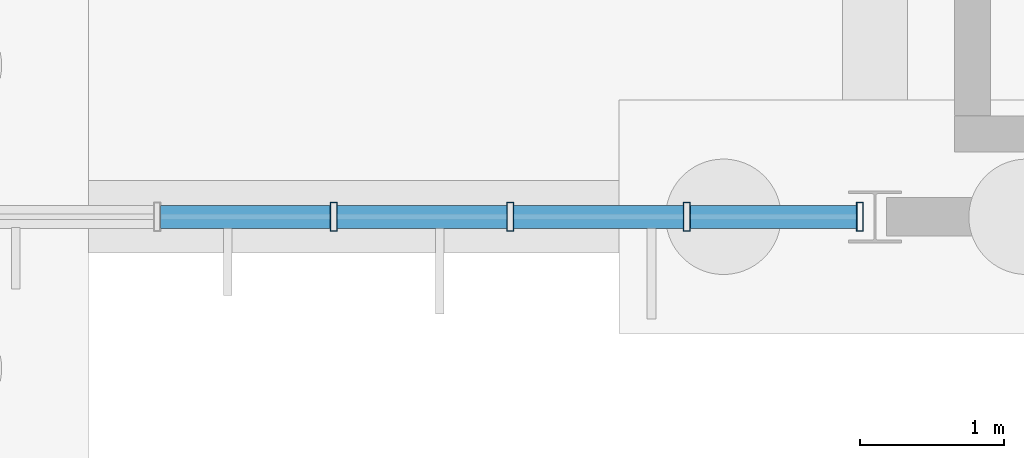
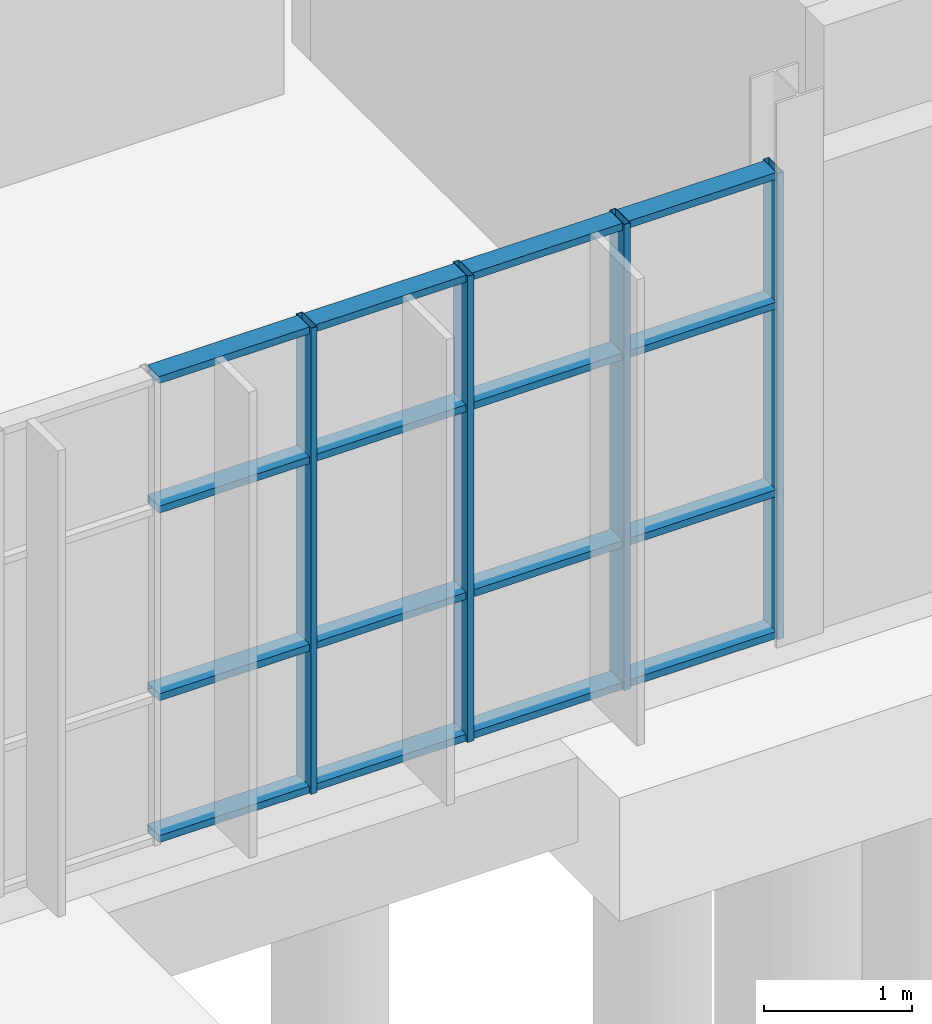
# One storey, part 32 of 136: 20 members, 1 element without a shape of its own.
"""IFC4 building model written with IfcOpenShell, lengths in metres."""

from ifc_helpers import new_model, si_unit, direction, frame, origin, origin_2d, place, context, subcontext, project, spatial, hollow_rectangle, extrude, material, layer, layer_set, material_profile, profile_set, type_object, element, aggregate, save


model = new_model("IFC4")

# Units and contexts
model_context = context("Model", 3, precision=1e-05, world=origin(), true_north=direction((0.0, 1.0)))
body_context = subcontext(model_context, "Body", "Model", "MODEL_VIEW")
ifc_project = project(units=[si_unit("LENGTHUNIT", "METRE"), si_unit("AREAUNIT", "SQUARE_METRE"), si_unit("VOLUMEUNIT", "CUBIC_METRE"), si_unit("PLANEANGLEUNIT", "RADIAN"), si_unit("MASSUNIT", "GRAM", prefix="KILO")], contexts=[model_context])

# Site, building, storey
site_placement = place(None, origin())
site = spatial("IfcSite", under=ifc_project, at=site_placement, CompositionType="ELEMENT")
building_placement = place(site_placement, origin())
building = spatial("IfcBuilding", under=site, at=building_placement, Name="Solvenia Promenade Tram Depot", CompositionType="ELEMENT")
storey_placement = place(building_placement, origin())
storey = spatial("IfcBuildingStorey", under=building, at=storey_placement, Name="L00", CompositionType="ELEMENT", Elevation=0.0)

# Curtain wall, members
ifc_material = material(Name="Anodized aluminium AW-6063 T6", Category="aluminium")
ifc_layer = layer(ifc_material, 0.179931640625, Name="Anodized aluminium AW-6063 T6", Category="aluminium")
ifc_layer_set = layer_set([ifc_layer], Name="Anodized aluminium AW-6063 T6")
curtain_wall_type = type_object("IfcCurtainWallType", Name="CW-Solar-1250", PredefinedType="NOTDEFINED", material=ifc_layer_set)
curtain_wall_placement = place(storey_placement, origin())
curtain_wall = element("IfcCurtainWall", 1, at=curtain_wall_placement, inside=storey, type_object=curtain_wall_type, Name="Curtain Wall CW-V4S-L00-07", PredefinedType="NOTDEFINED")
ifc_material_profile_1 = material_profile(ifc_material, hollow_rectangle(XDim=0.199951171875, YDim=0.048095703125, WallThickness=0.00390625, at=origin_2d()), Name="ALU-M3", Category="aluminium")
ifc_profile_set_1 = profile_set([ifc_material_profile_1], Name="Anodized aluminium AW-6063 T6")
member_type_1 = type_object("IfcMemberType", Name="CWM-Mullion-3", PredefinedType="MULLION", material=ifc_profile_set_1)
member_1_placement = place(storey_placement, frame((56.25, 0.0, 0.0), z_axis=(0.0, 0.0, 1.0), x_axis=(0.0, 1.0, 0.0)))
member_1 = element("IfcMember", 2, at=member_1_placement, type_object=member_type_1, Name="CW-6 mullion 4", PredefinedType="MULLION", context=body_context, shape_type="SweptSolid", body=[
    extrude(hollow_rectangle(XDim=0.199951171875, YDim=0.048095703125, WallThickness=0.00390625, at=origin_2d()), origin(), (0.0, 0.0, 1.0), 3.85009765625),
])
member_2_placement = place(storey_placement, frame((57.473388671875, 0.0, 0.0), z_axis=(0.0, 0.0, 1.0), x_axis=(0.0, 1.0, 0.0)))
member_2 = element("IfcMember", 3, at=member_2_placement, type_object=member_type_1, Name="CW-6 mullion 5", PredefinedType="MULLION", context=body_context, shape_type="SweptSolid", body=[
    extrude(hollow_rectangle(XDim=0.199951171875, YDim=0.048095703125, WallThickness=0.00390625, at=origin_2d()), origin(), (0.0, 0.0, 1.0), 3.85009765625),
])
member_3_placement = place(storey_placement, frame((58.69677734375, 0.0, 0.0), z_axis=(0.0, 0.0, 1.0), x_axis=(0.0, 1.0, 0.0)))
member_3 = element("IfcMember", 4, at=member_3_placement, type_object=member_type_1, Name="CW-6 mullion 6", PredefinedType="MULLION", context=body_context, shape_type="SweptSolid", body=[
    extrude(hollow_rectangle(XDim=0.199951171875, YDim=0.048095703125, WallThickness=0.00390625, at=origin_2d()), origin(), (0.0, 0.0, 1.0), 3.85009765625),
])
member_4_placement = place(storey_placement, frame((59.89599609375, 0.0, 0.0), z_axis=(0.0, 0.0, 1.0), x_axis=(0.0, 1.0, 0.0)))
member_4 = element("IfcMember", 5, at=member_4_placement, type_object=member_type_1, Name="CW-6 mullion 7", PredefinedType="MULLION", context=body_context, shape_type="SweptSolid", body=[
    extrude(hollow_rectangle(XDim=0.199951171875, YDim=0.048095703125, WallThickness=0.00390625, at=origin_2d()), origin(), (0.0, 0.0, 1.0), 3.85009765625),
])
ifc_material_profile_2 = material_profile(ifc_material, hollow_rectangle(XDim=0.159912109375, YDim=0.05810546875, WallThickness=0.00390625, at=origin_2d()), Name="ALU-T3", Category="aluminium")
ifc_profile_set_2 = profile_set([ifc_material_profile_2], Name="Anodized aluminium AW-6063 T6")
member_type_2 = type_object("IfcMemberType", Name="CWT-Transom-3", PredefinedType="USERDEFINED", material=ifc_profile_set_2)
member_5_placement = place(storey_placement, frame((55.05078125, 0.0, 0.029052734375), z_axis=(1.0, 0.0, 0.0), x_axis=(0.0, 1.0, 0.0)))
member_5 = element("IfcMember", 6, at=member_5_placement, type_object=member_type_2, Name="CW-6 transom 3.1", ObjectType="TRANSOM", PredefinedType="USERDEFINED", context=body_context, shape_type="SweptSolid", body=[
    extrude(hollow_rectangle(XDim=0.159912109375, YDim=0.05810546875, WallThickness=0.00390625, at=origin_2d()), origin(), (0.0, 0.0, 1.0), 1.17529296875),
])
member_6_placement = place(storey_placement, frame((55.05078125, 0.0, 1.199951171875), z_axis=(1.0, 0.0, 0.0), x_axis=(0.0, 1.0, 0.0)))
member_6 = element("IfcMember", 7, at=member_6_placement, type_object=member_type_2, Name="CW-6 transom 3.2", ObjectType="TRANSOM", PredefinedType="USERDEFINED", context=body_context, shape_type="SweptSolid", body=[
    extrude(hollow_rectangle(XDim=0.159912109375, YDim=0.05810546875, WallThickness=0.00390625, at=origin_2d()), origin(), (0.0, 0.0, 1.0), 1.17529296875),
])
member_7_placement = place(storey_placement, frame((55.05078125, 0.0, 2.75), z_axis=(1.0, 0.0, 0.0), x_axis=(0.0, 1.0, 0.0)))
member_7 = element("IfcMember", 8, at=member_7_placement, type_object=member_type_2, Name="CW-6 transom 3.3", ObjectType="TRANSOM", PredefinedType="USERDEFINED", context=body_context, shape_type="SweptSolid", body=[
    extrude(hollow_rectangle(XDim=0.159912109375, YDim=0.05810546875, WallThickness=0.00390625, at=origin_2d()), origin(), (0.0, 0.0, 1.0), 1.17529296875),
])
member_8_placement = place(storey_placement, frame((55.05078125, 0.0, 3.821044921875), z_axis=(1.0, 0.0, 0.0), x_axis=(0.0, 1.0, 0.0)))
member_8 = element("IfcMember", 9, at=member_8_placement, type_object=member_type_2, Name="CW-6 transom 3.4", ObjectType="TRANSOM", PredefinedType="USERDEFINED", context=body_context, shape_type="SweptSolid", body=[
    extrude(hollow_rectangle(XDim=0.159912109375, YDim=0.05810546875, WallThickness=0.00390625, at=origin_2d()), origin(), (0.0, 0.0, 1.0), 1.17529296875),
])
member_9_placement = place(storey_placement, frame((56.27392578125, 0.0, 0.029052734375), z_axis=(1.0, 0.0, 0.0), x_axis=(0.0, 1.0, 0.0)))
member_9 = element("IfcMember", 10, at=member_9_placement, type_object=member_type_2, Name="CW-6 transom 4.1", ObjectType="TRANSOM", PredefinedType="USERDEFINED", context=body_context, shape_type="SweptSolid", body=[
    extrude(hollow_rectangle(XDim=0.159912109375, YDim=0.05810546875, WallThickness=0.00390625, at=origin_2d()), origin(), (0.0, 0.0, 1.0), 1.17529296875),
])
member_10_placement = place(storey_placement, frame((56.27392578125, 0.0, 1.199951171875), z_axis=(1.0, 0.0, 0.0), x_axis=(0.0, 1.0, 0.0)))
member_10 = element("IfcMember", 11, at=member_10_placement, type_object=member_type_2, Name="CW-6 transom 4.2", ObjectType="TRANSOM", PredefinedType="USERDEFINED", context=body_context, shape_type="SweptSolid", body=[
    extrude(hollow_rectangle(XDim=0.159912109375, YDim=0.05810546875, WallThickness=0.00390625, at=origin_2d()), origin(), (0.0, 0.0, 1.0), 1.17529296875),
])
member_11_placement = place(storey_placement, frame((56.27392578125, 0.0, 2.75), z_axis=(1.0, 0.0, 0.0), x_axis=(0.0, 1.0, 0.0)))
member_11 = element("IfcMember", 12, at=member_11_placement, type_object=member_type_2, Name="CW-6 transom 4.3", ObjectType="TRANSOM", PredefinedType="USERDEFINED", context=body_context, shape_type="SweptSolid", body=[
    extrude(hollow_rectangle(XDim=0.159912109375, YDim=0.05810546875, WallThickness=0.00390625, at=origin_2d()), origin(), (0.0, 0.0, 1.0), 1.17529296875),
])
member_12_placement = place(storey_placement, frame((56.27392578125, 0.0, 3.821044921875), z_axis=(1.0, 0.0, 0.0), x_axis=(0.0, 1.0, 0.0)))
member_12 = element("IfcMember", 13, at=member_12_placement, type_object=member_type_2, Name="CW-6 transom 4.4", ObjectType="TRANSOM", PredefinedType="USERDEFINED", context=body_context, shape_type="SweptSolid", body=[
    extrude(hollow_rectangle(XDim=0.159912109375, YDim=0.05810546875, WallThickness=0.00390625, at=origin_2d()), origin(), (0.0, 0.0, 1.0), 1.17529296875),
])
member_13_placement = place(storey_placement, frame((57.497314453125, 0.0, 0.029052734375), z_axis=(1.0, 0.0, 0.0), x_axis=(0.0, 1.0, 0.0)))
member_13 = element("IfcMember", 14, at=member_13_placement, type_object=member_type_2, Name="CW-6 transom 5.1", ObjectType="TRANSOM", PredefinedType="USERDEFINED", context=body_context, shape_type="SweptSolid", body=[
    extrude(hollow_rectangle(XDim=0.159912109375, YDim=0.05810546875, WallThickness=0.00390625, at=origin_2d()), origin(), (0.0, 0.0, 1.0), 1.17529296875),
])
member_14_placement = place(storey_placement, frame((57.497314453125, 0.0, 1.199951171875), z_axis=(1.0, 0.0, 0.0), x_axis=(0.0, 1.0, 0.0)))
member_14 = element("IfcMember", 15, at=member_14_placement, type_object=member_type_2, Name="CW-6 transom 5.2", ObjectType="TRANSOM", PredefinedType="USERDEFINED", context=body_context, shape_type="SweptSolid", body=[
    extrude(hollow_rectangle(XDim=0.159912109375, YDim=0.05810546875, WallThickness=0.00390625, at=origin_2d()), origin(), (0.0, 0.0, 1.0), 1.17529296875),
])
member_15_placement = place(storey_placement, frame((57.497314453125, 0.0, 2.75), z_axis=(1.0, 0.0, 0.0), x_axis=(0.0, 1.0, 0.0)))
member_15 = element("IfcMember", 16, at=member_15_placement, type_object=member_type_2, Name="CW-6 transom 5.3", ObjectType="TRANSOM", PredefinedType="USERDEFINED", context=body_context, shape_type="SweptSolid", body=[
    extrude(hollow_rectangle(XDim=0.159912109375, YDim=0.05810546875, WallThickness=0.00390625, at=origin_2d()), origin(), (0.0, 0.0, 1.0), 1.17529296875),
])
member_16_placement = place(storey_placement, frame((57.497314453125, 0.0, 3.821044921875), z_axis=(1.0, 0.0, 0.0), x_axis=(0.0, 1.0, 0.0)))
member_16 = element("IfcMember", 17, at=member_16_placement, type_object=member_type_2, Name="CW-6 transom 5.4", ObjectType="TRANSOM", PredefinedType="USERDEFINED", context=body_context, shape_type="SweptSolid", body=[
    extrude(hollow_rectangle(XDim=0.159912109375, YDim=0.05810546875, WallThickness=0.00390625, at=origin_2d()), origin(), (0.0, 0.0, 1.0), 1.17529296875),
])
member_17_placement = place(storey_placement, frame((58.720703125, 0.0, 0.029052734375), z_axis=(1.0, 0.0, 0.0), x_axis=(0.0, 1.0, 0.0)))
member_17 = element("IfcMember", 18, at=member_17_placement, type_object=member_type_2, Name="CW-6 transom 6.1", ObjectType="TRANSOM", PredefinedType="USERDEFINED", context=body_context, shape_type="SweptSolid", body=[
    extrude(hollow_rectangle(XDim=0.159912109375, YDim=0.05810546875, WallThickness=0.00390625, at=origin_2d()), origin(), (0.0, 0.0, 1.0), 1.1513671875),
])
member_18_placement = place(storey_placement, frame((58.720703125, 0.0, 1.199951171875), z_axis=(1.0, 0.0, 0.0), x_axis=(0.0, 1.0, 0.0)))
member_18 = element("IfcMember", 19, at=member_18_placement, type_object=member_type_2, Name="CW-6 transom 6.2", ObjectType="TRANSOM", PredefinedType="USERDEFINED", context=body_context, shape_type="SweptSolid", body=[
    extrude(hollow_rectangle(XDim=0.159912109375, YDim=0.05810546875, WallThickness=0.00390625, at=origin_2d()), origin(), (0.0, 0.0, 1.0), 1.1513671875),
])
member_19_placement = place(storey_placement, frame((58.720703125, 0.0, 2.75), z_axis=(1.0, 0.0, 0.0), x_axis=(0.0, 1.0, 0.0)))
member_19 = element("IfcMember", 20, at=member_19_placement, type_object=member_type_2, Name="CW-6 transom 6.3", ObjectType="TRANSOM", PredefinedType="USERDEFINED", context=body_context, shape_type="SweptSolid", body=[
    extrude(hollow_rectangle(XDim=0.159912109375, YDim=0.05810546875, WallThickness=0.00390625, at=origin_2d()), origin(), (0.0, 0.0, 1.0), 1.1513671875),
])
member_20_placement = place(storey_placement, frame((58.720703125, 0.0, 3.821044921875), z_axis=(1.0, 0.0, 0.0), x_axis=(0.0, 1.0, 0.0)))
member_20 = element("IfcMember", 21, at=member_20_placement, type_object=member_type_2, Name="CW-6 transom 6.4", ObjectType="TRANSOM", PredefinedType="USERDEFINED", context=body_context, shape_type="SweptSolid", body=[
    extrude(hollow_rectangle(XDim=0.159912109375, YDim=0.05810546875, WallThickness=0.00390625, at=origin_2d()), origin(), (0.0, 0.0, 1.0), 1.1513671875),
])
aggregate(curtain_wall, [member_1, member_2, member_3, member_4, member_5, member_6, member_7, member_8, member_9, member_10, member_11, member_12, member_13, member_14, member_15, member_16, member_17, member_18, member_19, member_20])

save(model, "model.ifc")
